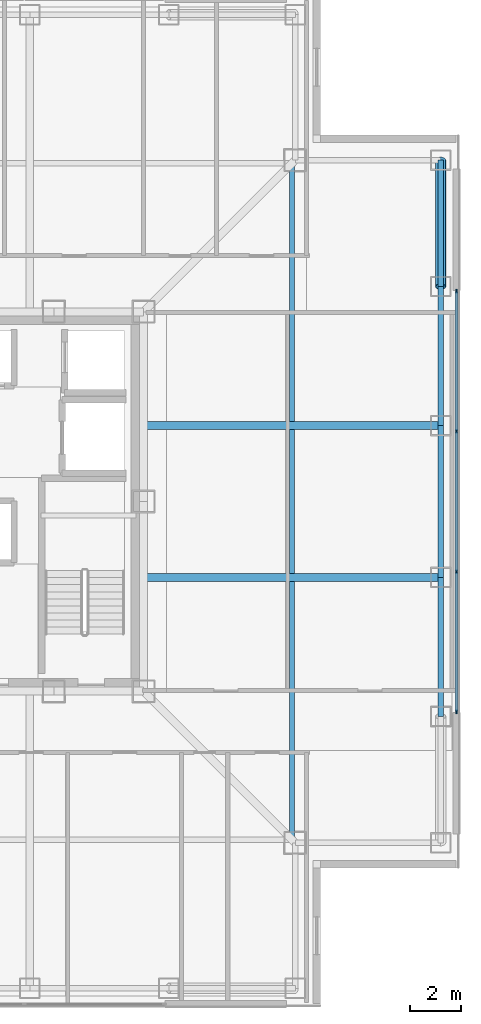
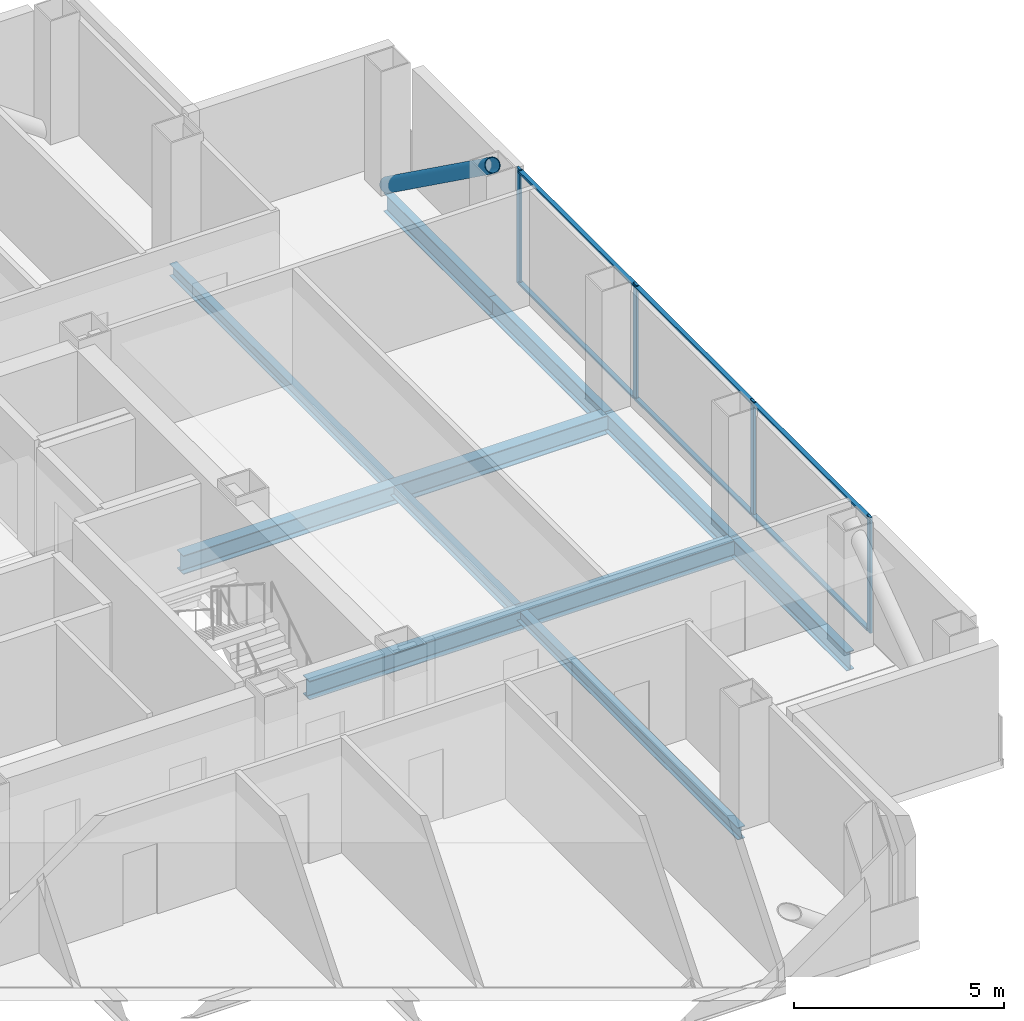
# One storey, part 6 of 17: 11 members, 7 beams, 1 element without a shape of its own.
"""IFC4 building model written with IfcOpenShell, lengths in metres."""

from ifc_helpers import new_model, si_unit, direction, frame, origin, origin_2d, place, context, subcontext, project, spatial, rectangle, hollow_circle, i_section, extrude, material, layer, layer_set, material_profile, profile_set, type_object, element, aggregate, save


model = new_model("IFC4")

# Units and contexts
model_context = context("Model", 3, precision=1e-05, world=origin(), true_north=direction((0.0, 1.0)))
body_context = subcontext(model_context, "Body", "Model", "MODEL_VIEW")
ifc_project = project(units=[si_unit("LENGTHUNIT", "METRE"), si_unit("AREAUNIT", "SQUARE_METRE"), si_unit("VOLUMEUNIT", "CUBIC_METRE"), si_unit("PLANEANGLEUNIT", "RADIAN"), si_unit("MASSUNIT", "GRAM", prefix="KILO")], contexts=[model_context])

# Site, building, storey
site_placement = place(None, origin())
site = spatial("IfcSite", under=ifc_project, at=site_placement, CompositionType="ELEMENT")
building_placement = place(site_placement, origin())
building = spatial("IfcBuilding", under=site, at=building_placement, Name="Trevonay Congress Spire", CompositionType="ELEMENT")
storey_placement = place(building_placement, frame((0.0, 0.0, 169.800048828125)))
storey = spatial("IfcBuildingStorey", under=building, at=storey_placement, Name="L43", CompositionType="ELEMENT", Elevation=169.800048828125)

# Beams
ifc_material_1 = material(Name="Steel ASTM A572 Grade 50", Category="steel")
ifc_material_profile_1 = material_profile(ifc_material_1, i_section(OverallWidth=0.31201171875, OverallDepth=0.54296875, WebThickness=0.0126953125, FlangeThickness=0.020263671875, FilletRadius=0.014892578125, at=origin_2d()), Name="W530x150")
ifc_profile_set_1 = profile_set([ifc_material_profile_1], Name="Steel ASTM A572 Grade 50")
beam_type_1 = type_object("IfcBeamType", Name="BM-GIRD-W530X150", PredefinedType="BEAM", material=ifc_profile_set_1)
for number, where, z_axis, x_axis, name in (
    (1, (7.5, -3.0, -0.511474609375), (1.0, 0.0, 0.0), (0.0, 1.0, 0.0), "L43 structural beam BM-L43-GE-M"),
    (2, (7.5, 3.0, -0.511474609375), (1.0, 0.0, 0.0), (0.0, 1.0, 0.0), "L43 structural beam BM-L43-GE-P"),
):
    element("IfcBeam", number, at=place(storey_placement, frame(where, z_axis=z_axis, x_axis=x_axis)), inside=storey, type_object=beam_type_1, Name=name, PredefinedType="BEAM", context=body_context, shape_type="SweptSolid", body=[
        extrude(i_section(OverallWidth=0.31201171875, OverallDepth=0.54296875, WebThickness=0.0126953125, FlangeThickness=0.020263671875, FilletRadius=0.014892578125, at=origin_2d()), origin(), (0.0, 0.0, 1.0), 11.75),
    ])
ifc_material_profile_2 = material_profile(ifc_material_1, i_section(OverallWidth=0.2119140625, OverallDepth=0.5439453125, WebThickness=0.01318359375, FlangeThickness=0.021240234375, FilletRadius=0.014892578125, at=origin_2d()), Name="W530x123")
ifc_profile_set_2 = profile_set([ifc_material_profile_2], Name="Steel ASTM A572 Grade 50")
beam_type_2 = type_object("IfcBeamType", Name="BM-RING-W530X123", PredefinedType="BEAM", material=ifc_profile_set_2)
beam_1_placement = place(storey_placement, frame((19.25, -8.5, -0.511962890625), z_axis=(0.0, 1.0, 0.0), x_axis=(-1.0, 0.0, 0.0)))
element("IfcBeam", 3, at=beam_1_placement, inside=storey, type_object=beam_type_2, Name="L43 structural beam BM-L43-PE2", PredefinedType="BEAM", context=body_context, shape_type="SweptSolid", body=[
    extrude(i_section(OverallWidth=0.2119140625, OverallDepth=0.5439453125, WebThickness=0.01318359375, FlangeThickness=0.021240234375, FilletRadius=0.014892578125, at=origin_2d()), origin(), (0.0, 0.0, 1.0), 5.5),
])
beam_2_placement = place(storey_placement, frame((19.25, -3.0, -0.511962890625), z_axis=(0.0, 1.0, 0.0), x_axis=(-1.0, 0.0, 0.0)))
element("IfcBeam", 4, at=beam_2_placement, inside=storey, type_object=beam_type_2, Name="L43 structural beam BM-L43-PE3", PredefinedType="BEAM", context=body_context, shape_type="SweptSolid", body=[
    extrude(i_section(OverallWidth=0.2119140625, OverallDepth=0.5439453125, WebThickness=0.01318359375, FlangeThickness=0.021240234375, FilletRadius=0.014892578125, at=origin_2d()), origin(), (0.0, 0.0, 1.0), 6.0),
])
beam_3_placement = place(storey_placement, frame((19.25, 3.0, -0.511962890625), z_axis=(0.0, 1.0, 0.0), x_axis=(-1.0, 0.0, 0.0)))
element("IfcBeam", 5, at=beam_3_placement, inside=storey, type_object=beam_type_2, Name="L43 structural beam BM-L43-PE4", PredefinedType="BEAM", context=body_context, shape_type="SweptSolid", body=[
    extrude(i_section(OverallWidth=0.2119140625, OverallDepth=0.5439453125, WebThickness=0.01318359375, FlangeThickness=0.021240234375, FilletRadius=0.014892578125, at=origin_2d()), origin(), (0.0, 0.0, 1.0), 5.5),
])
beam_4_placement = place(storey_placement, frame((19.25, 8.5, -0.511962890625), z_axis=(0.0, 1.0, 0.0), x_axis=(-1.0, 0.0, 0.0)))
element("IfcBeam", 6, at=beam_4_placement, inside=storey, type_object=beam_type_2, Name="L43 structural beam BM-L43-PE5", PredefinedType="BEAM", context=body_context, shape_type="SweptSolid", body=[
    extrude(i_section(OverallWidth=0.2119140625, OverallDepth=0.5439453125, WebThickness=0.01318359375, FlangeThickness=0.021240234375, FilletRadius=0.014892578125, at=origin_2d()), origin(), (0.0, 0.0, 1.0), 5.0),
])

# Curtain wall, members
ifc_material_2 = material(Name="Pale Anodised Aluminium EN AW-6063-T6", Category="aluminium")
ifc_layer = layer(ifc_material_2, 0.169921875, Name="Pale Anodised Aluminium EN AW-6063-T6")
ifc_layer_set = layer_set([ifc_layer], Name="Pale Anodised Aluminium EN AW-6063-T6")
curtain_wall_type = type_object("IfcCurtainWallType", Name="CW-SYS04-CORP-PALE-METAL", PredefinedType="NOTDEFINED", material=ifc_layer_set)
curtain_wall_placement = place(storey_placement, origin())
curtain_wall = element("IfcCurtainWall", 7, at=curtain_wall_placement, inside=storey, type_object=curtain_wall_type, Name="L43 E unitised curtain wall", PredefinedType="NOTDEFINED")
ifc_material_profile_3 = material_profile(ifc_material_2, rectangle(XDim=0.06005859375, YDim=0.159912109375, at=origin_2d()), Name="CW-MULLION-160-ALUMINIUM")
ifc_profile_set_3 = profile_set([ifc_material_profile_3], Name="Pale Anodised Aluminium EN AW-6063-T6")
member_type_1 = type_object("IfcMemberType", Name="CW-MULLION-160-ALUMINIUM", PredefinedType="MULLION", material=ifc_profile_set_3)
member_1_placement = place(storey_placement, frame((19.8798828125, -8.320068359375, 0.0), z_axis=(0.0, 0.0, 1.0), x_axis=(-1.0, 0.0, 0.0)))
member_1 = element("IfcMember", 8, at=member_1_placement, type_object=member_type_1, Name="CW04 mullion 1", PredefinedType="MULLION", context=body_context, shape_type="SweptSolid", body=[
    extrude(rectangle(XDim=0.06005859375, YDim=0.159912109375, at=origin_2d()), origin(), (0.0, 0.0, 1.0), 3.35986328125),
])
member_2_placement = place(storey_placement, frame((19.8798828125, -2.783447265625, 0.0), z_axis=(0.0, 0.0, 1.0), x_axis=(-1.0, 0.0, 0.0)))
member_2 = element("IfcMember", 9, at=member_2_placement, type_object=member_type_1, Name="CW04 mullion 2", PredefinedType="MULLION", context=body_context, shape_type="SweptSolid", body=[
    extrude(rectangle(XDim=0.06005859375, YDim=0.159912109375, at=origin_2d()), origin(), (0.0, 0.0, 1.0), 3.35986328125),
])
member_3_placement = place(storey_placement, frame((19.8798828125, 2.783447265625, 0.0), z_axis=(0.0, 0.0, 1.0), x_axis=(-1.0, 0.0, 0.0)))
member_3 = element("IfcMember", 10, at=member_3_placement, type_object=member_type_1, Name="CW04 mullion 3", PredefinedType="MULLION", context=body_context, shape_type="SweptSolid", body=[
    extrude(rectangle(XDim=0.06005859375, YDim=0.159912109375, at=origin_2d()), origin(), (0.0, 0.0, 1.0), 3.35986328125),
])
member_4_placement = place(storey_placement, frame((19.8798828125, 8.320068359375, 0.0), z_axis=(0.0, 0.0, 1.0), x_axis=(-1.0, 0.0, 0.0)))
member_4 = element("IfcMember", 11, at=member_4_placement, type_object=member_type_1, Name="CW04 mullion 4", PredefinedType="MULLION", context=body_context, shape_type="SweptSolid", body=[
    extrude(rectangle(XDim=0.06005859375, YDim=0.159912109375, at=origin_2d()), origin(), (0.0, 0.0, 1.0), 3.35986328125),
])
ifc_material_profile_4 = material_profile(ifc_material_2, rectangle(XDim=0.1201171875, YDim=0.06005859375, at=origin_2d()), Name="CW-TRANSOM-120-ALUMINIUM")
ifc_profile_set_4 = profile_set([ifc_material_profile_4], Name="Pale Anodised Aluminium EN AW-6063-T6")
member_type_2 = type_object("IfcMemberType", Name="CW-TRANSOM-120-ALUMINIUM", PredefinedType="USERDEFINED", material=ifc_profile_set_4)
member_5_placement = place(storey_placement, frame((19.8798828125, -8.2900390625, 0.06005859375), z_axis=(0.0, 1.0, 0.0), x_axis=(-1.0, 0.0, 0.0)))
member_5 = element("IfcMember", 12, at=member_5_placement, type_object=member_type_2, Name="CW04 transom 1.1", ObjectType="TRANSOM", PredefinedType="USERDEFINED", context=body_context, shape_type="SweptSolid", body=[
    extrude(rectangle(XDim=0.1201171875, YDim=0.06005859375, at=origin_2d()), origin(), (0.0, 0.0, 1.0), 5.476806640625),
])
member_6_placement = place(storey_placement, frame((19.8798828125, -8.2900390625, 3.300048828125), z_axis=(0.0, 1.0, 0.0), x_axis=(-1.0, 0.0, 0.0)))
member_6 = element("IfcMember", 13, at=member_6_placement, type_object=member_type_2, Name="CW04 transom 1.2", ObjectType="TRANSOM", PredefinedType="USERDEFINED", context=body_context, shape_type="SweptSolid", body=[
    extrude(rectangle(XDim=0.1201171875, YDim=0.06005859375, at=origin_2d()), origin(), (0.0, 0.0, 1.0), 5.476806640625),
])
member_7_placement = place(storey_placement, frame((19.8798828125, -2.75341796875, 0.06005859375), z_axis=(0.0, 1.0, 0.0), x_axis=(-1.0, 0.0, 0.0)))
member_7 = element("IfcMember", 14, at=member_7_placement, type_object=member_type_2, Name="CW04 transom 2.1", ObjectType="TRANSOM", PredefinedType="USERDEFINED", context=body_context, shape_type="SweptSolid", body=[
    extrude(rectangle(XDim=0.1201171875, YDim=0.06005859375, at=origin_2d()), origin(), (0.0, 0.0, 1.0), 5.5068359375),
])
member_8_placement = place(storey_placement, frame((19.8798828125, -2.75341796875, 3.300048828125), z_axis=(0.0, 1.0, 0.0), x_axis=(-1.0, 0.0, 0.0)))
member_8 = element("IfcMember", 15, at=member_8_placement, type_object=member_type_2, Name="CW04 transom 2.2", ObjectType="TRANSOM", PredefinedType="USERDEFINED", context=body_context, shape_type="SweptSolid", body=[
    extrude(rectangle(XDim=0.1201171875, YDim=0.06005859375, at=origin_2d()), origin(), (0.0, 0.0, 1.0), 5.5068359375),
])
member_9_placement = place(storey_placement, frame((19.8798828125, 2.813232421875, 0.06005859375), z_axis=(0.0, 1.0, 0.0), x_axis=(-1.0, 0.0, 0.0)))
member_9 = element("IfcMember", 16, at=member_9_placement, type_object=member_type_2, Name="CW04 transom 3.1", ObjectType="TRANSOM", PredefinedType="USERDEFINED", context=body_context, shape_type="SweptSolid", body=[
    extrude(rectangle(XDim=0.1201171875, YDim=0.06005859375, at=origin_2d()), origin(), (0.0, 0.0, 1.0), 5.476806640625),
])
member_10_placement = place(storey_placement, frame((19.8798828125, 2.813232421875, 3.300048828125), z_axis=(0.0, 1.0, 0.0), x_axis=(-1.0, 0.0, 0.0)))
member_10 = element("IfcMember", 17, at=member_10_placement, type_object=member_type_2, Name="CW04 transom 3.2", ObjectType="TRANSOM", PredefinedType="USERDEFINED", context=body_context, shape_type="SweptSolid", body=[
    extrude(rectangle(XDim=0.1201171875, YDim=0.06005859375, at=origin_2d()), origin(), (0.0, 0.0, 1.0), 5.476806640625),
])
aggregate(curtain_wall, [member_1, member_2, member_3, member_4, member_5, member_6, member_7, member_8, member_9, member_10])

# Beam
ifc_material_profile_5 = material_profile(ifc_material_1, i_section(OverallWidth=0.205078125, OverallDepth=0.35400390625, WebThickness=0.009521484375, FlangeThickness=0.016845703125, FilletRadius=0.011962890625, at=origin_2d()), Name="W360x79")
ifc_profile_set_5 = profile_set([ifc_material_profile_5], Name="Steel ASTM A572 Grade 50")
beam_type_3 = type_object("IfcBeamType", Name="JS-COMP-W360X79", PredefinedType="JOIST", material=ifc_profile_set_5)
beam_5_placement = place(storey_placement, frame((13.375, -13.5, -0.4169921875), z_axis=(0.0, 1.0, 0.0), x_axis=(-1.0, 0.0, 0.0)))
element("IfcBeam", 18, at=beam_5_placement, inside=storey, type_object=beam_type_3, Name="L43 structural beam JS-L43-RING-E", PredefinedType="JOIST", context=body_context, shape_type="SweptSolid", body=[
    extrude(i_section(OverallWidth=0.205078125, OverallDepth=0.35400390625, WebThickness=0.009521484375, FlangeThickness=0.016845703125, FilletRadius=0.011962890625, at=origin_2d()), origin(), (0.0, 0.0, 1.0), 27.0),
])

# Member
ifc_material_3 = material(Name="Steel ASTM A500 Grade C", Category="steel")
ifc_material_profile_6 = material_profile(ifc_material_3, hollow_circle(Radius=0.203125, WallThickness=0.02001953125, at=origin_2d()), Name="CHS 406.4x20")
ifc_profile_set_6 = profile_set([ifc_material_profile_6], Name="Steel ASTM A500 Grade C")
member_type_3 = type_object("IfcMemberType", Name="MBR-TUBE-CHS406", PredefinedType="BRACE", material=ifc_profile_set_6)
member_11_placement = place(storey_placement, frame((19.25, 13.5, -0.050048828125), z_axis=(0.0, -0.811526825515, 0.584315164504), x_axis=(1.0, 0.0, 0.0)))
element("IfcMember", 19, at=member_11_placement, inside=storey, type_object=member_type_3, Name="L43 perimeter braced-tube diagonal E4", PredefinedType="BRACE", context=body_context, shape_type="SweptSolid", body=[
    extrude(hollow_circle(Radius=0.203125, WallThickness=0.02001953125, at=origin_2d()), origin(), (0.0, 0.0, 1.0), 6.1611328125),
])

save(model, "model.ifc")
